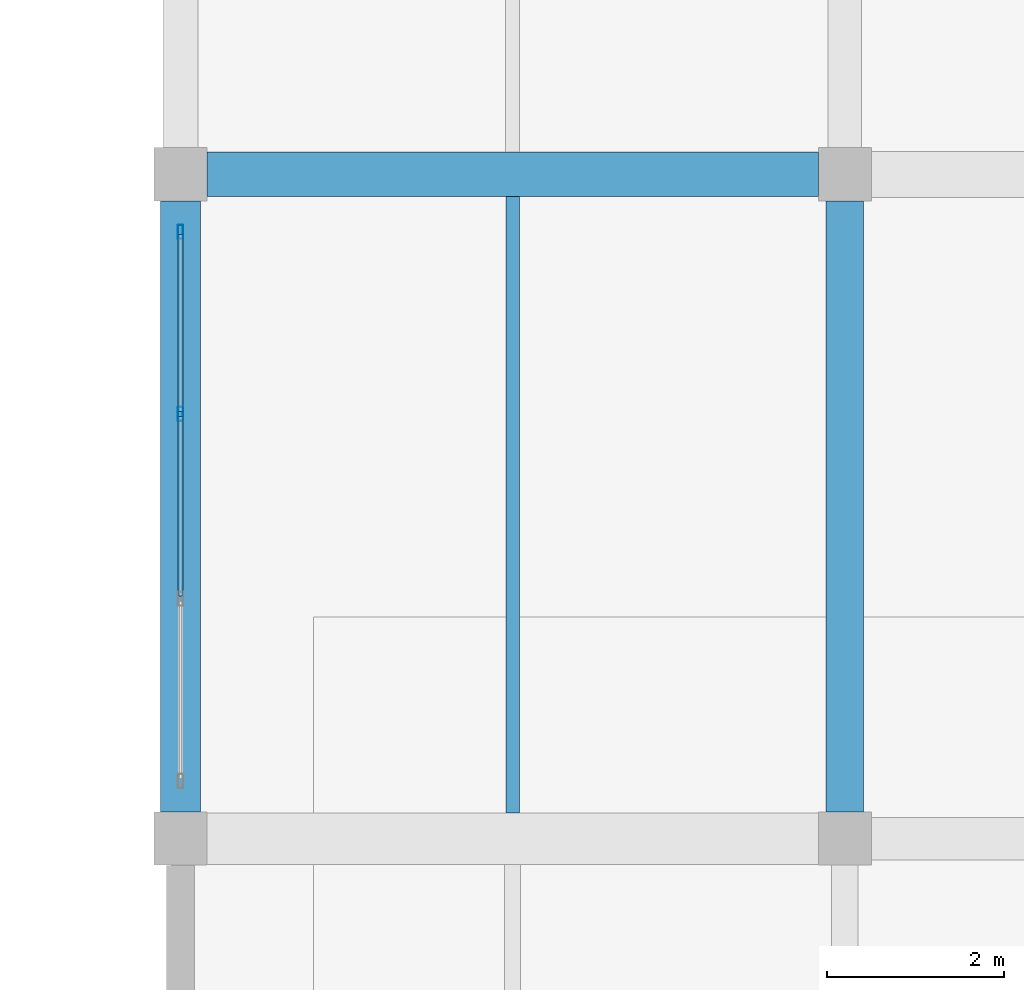
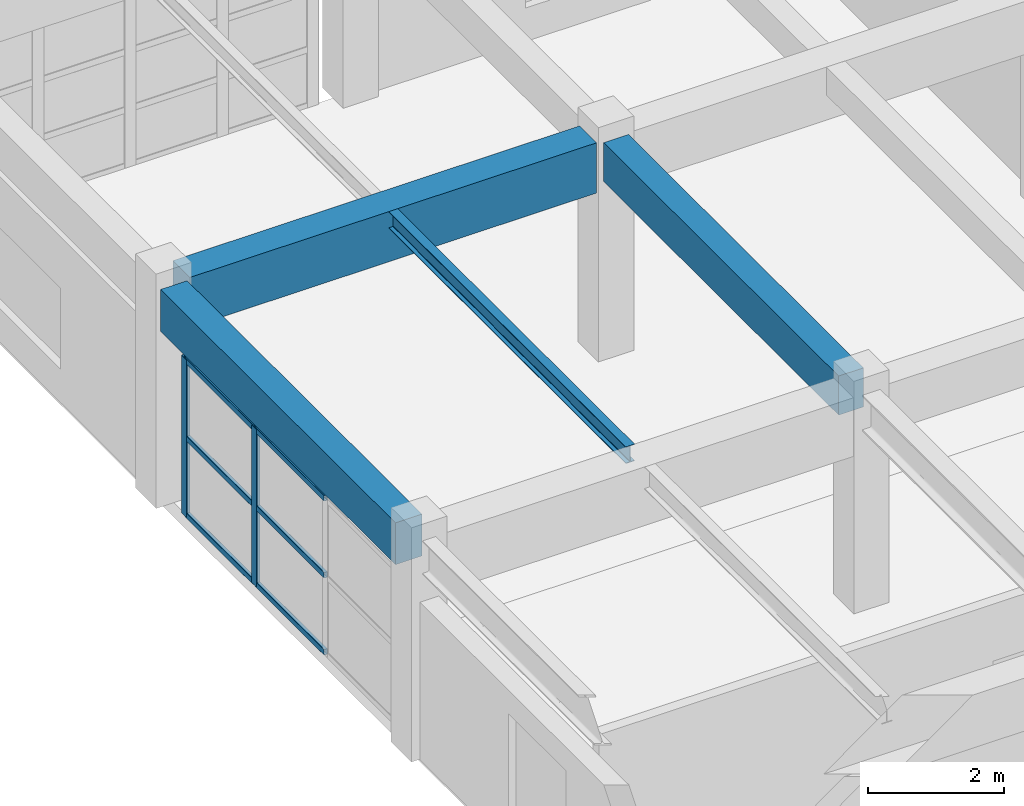
# One storey, part 57 of 124: 8 members, 4 beams, 1 element without a shape of its own.
"""IFC4 building model written with IfcOpenShell, lengths in metres."""

from ifc_helpers import new_model, si_unit, direction, frame, origin, origin_2d, place, context, subcontext, project, spatial, rectangle, hollow_rectangle, i_section, extrude, material, material_profile, profile_set, type_object, element, aggregate, save


model = new_model("IFC4")

# Units and contexts
model_context = context("Model", 3, precision=1e-05, world=origin(), true_north=direction((0.0, 1.0)))
body_context = subcontext(model_context, "Body", "Model", "MODEL_VIEW")
ifc_project = project(units=[si_unit("LENGTHUNIT", "METRE"), si_unit("AREAUNIT", "SQUARE_METRE"), si_unit("VOLUMEUNIT", "CUBIC_METRE"), si_unit("PLANEANGLEUNIT", "RADIAN"), si_unit("MASSUNIT", "GRAM", prefix="KILO")], contexts=[model_context])

# Site, building, storey
site_placement = place(None, origin())
site = spatial("IfcSite", under=ifc_project, at=site_placement, CompositionType="ELEMENT")
building_placement = place(site_placement, origin())
building = spatial("IfcBuilding", under=site, at=building_placement, Name="Qasida Concert Hall", CompositionType="ELEMENT")
storey_placement = place(building_placement, frame((0.0, 0.0, 9.0)))
storey = spatial("IfcBuildingStorey", under=building, at=storey_placement, Name="L02", CompositionType="ELEMENT", Elevation=9.0)

# Beams
ifc_material_1 = material(Name="Concrete C40/50", Category="concrete")
ifc_material_profile_1 = material_profile(ifc_material_1, rectangle(XDim=0.419921875, YDim=0.699951171875, at=origin_2d()), Name="RC 420x700")
ifc_profile_set_1 = profile_set([ifc_material_profile_1], Name="Concrete C40/50")
beam_type_1 = type_object("IfcBeamType", Name="BM-B11", PredefinedType="BEAM", material=ifc_profile_set_1)
beam_1_placement = place(storey_placement, frame((127.5, 97.800048828125, 3.550048828125), z_axis=(0.0, 1.0, 0.0), x_axis=(-1.0, 0.0, 0.0)))
element("IfcBeam", 1, at=beam_1_placement, inside=storey, type_object=beam_type_1, Name="L02 girder 1391", PredefinedType="BEAM", context=body_context, shape_type="SweptSolid", body=[
    extrude(rectangle(XDim=0.419921875, YDim=0.699951171875, at=origin_2d()), origin(), (0.0, 0.0, 1.0), 6.89990234375),
])
ifc_material_profile_2 = material_profile(ifc_material_1, rectangle(XDim=0.5, YDim=0.89990234375, at=origin_2d()), Name="RC 500x900")
ifc_profile_set_2 = profile_set([ifc_material_profile_2], Name="Concrete C40/50")
beam_type_2 = type_object("IfcBeamType", Name="BM-G1", PredefinedType="USERDEFINED", material=ifc_profile_set_2)
beam_2_placement = place(storey_placement, frame((120.300048828125, 105.0, 3.449951171875), z_axis=(1.0, 0.0, 0.0), x_axis=(0.0, 1.0, 0.0)))
element("IfcBeam", 2, at=beam_2_placement, inside=storey, type_object=beam_type_2, Name="Primary girder 1371", ObjectType="GIRDER", PredefinedType="USERDEFINED", context=body_context, shape_type="SweptSolid", body=[
    extrude(rectangle(XDim=0.5, YDim=0.89990234375, at=origin_2d()), origin(), (0.0, 0.0, 1.0), 6.89990234375),
])
ifc_material_2 = material(Name="Steel S355J2", Category="steel")
ifc_material_profile_3 = material_profile(ifc_material_2, i_section(OverallWidth=0.14990234375, OverallDepth=0.300048828125, WebThickness=0.007080078125, FlangeThickness=0.0107421875, FilletRadius=0.014892578125, at=origin_2d()), Name="IPE 300")
ifc_profile_set_3 = profile_set([ifc_material_profile_3], Name="Steel S355J2")
beam_type_3 = type_object("IfcBeamType", Name="BM-J4", PredefinedType="JOIST", material=ifc_profile_set_3)
beam_3_placement = place(storey_placement, frame((123.75, 97.7900390625, 3.75), z_axis=(0.0, 1.0, 0.0), x_axis=(-1.0, 0.0, 0.0)))
element("IfcBeam", 3, at=beam_3_placement, inside=storey, type_object=beam_type_3, Name="L02 secondary joist 1419", PredefinedType="JOIST", context=body_context, shape_type="SweptSolid", body=[
    extrude(i_section(OverallWidth=0.14990234375, OverallDepth=0.300048828125, WebThickness=0.007080078125, FlangeThickness=0.0107421875, FilletRadius=0.014892578125, at=origin_2d()), origin(), (0.0, 0.0, 1.0), 6.9599609375),
])
ifc_material_profile_4 = material_profile(ifc_material_1, rectangle(XDim=0.449951171875, YDim=0.75, at=origin_2d()), Name="RC 450x750")
ifc_profile_set_4 = profile_set([ifc_material_profile_4], Name="Concrete C40/50")
beam_type_4 = type_object("IfcBeamType", Name="BM-SP4", PredefinedType="SPANDREL", material=ifc_profile_set_4)
beam_4_placement = place(storey_placement, frame((120.0, 97.800048828125, 3.52490234375), z_axis=(0.0, 1.0, 0.0), x_axis=(-1.0, 0.0, 0.0)))
element("IfcBeam", 4, at=beam_4_placement, inside=storey, type_object=beam_type_4, Name="L02 girder 1386", PredefinedType="SPANDREL", context=body_context, shape_type="SweptSolid", body=[
    extrude(rectangle(XDim=0.449951171875, YDim=0.75, at=origin_2d()), origin(), (0.0, 0.0, 1.0), 6.89990234375),
])

# Curtain wall, members
ifc_material_3 = material(Name="Architectural bronze-anodized aluminium and low-E glass", Category="aluminium")
curtain_wall_type = type_object("IfcCurtainWallType", Name="CW-09", PredefinedType="NOTDEFINED", material=ifc_material_3)
curtain_wall_placement = place(storey_placement, origin())
curtain_wall = element("IfcCurtainWall", 5, at=curtain_wall_placement, inside=storey, type_object=curtain_wall_type, Name="L02 curtain wall CW-09 0176", PredefinedType="NOTDEFINED")
ifc_material_4 = material(Name="Architectural bronze-anodized aluminium EN AW-6063", Category="aluminium")
ifc_material_profile_5 = material_profile(ifc_material_4, hollow_rectangle(XDim=0.06005859375, YDim=0.159912109375, WallThickness=0.00390625, InnerFilletRadius=0.00390625, OuterFilletRadius=0.008056640625, at=origin_2d()), Name="CWM 160x60x4")
ifc_profile_set_5 = profile_set([ifc_material_profile_5], Name="Architectural bronze-anodized aluminium EN AW-6063")
member_type_1 = type_object("IfcMemberType", Name="MB-CWM-3", PredefinedType="MULLION", material=ifc_profile_set_5)
member_1_placement = place(storey_placement, frame((120.0, 102.293212890625, 0.0), z_axis=(0.0, 0.0, 1.0), x_axis=(-1.0, 0.0, 0.0)))
member_1 = element("IfcMember", 6, at=member_1_placement, type_object=member_type_1, Name="CW-09 mullion 3", PredefinedType="MULLION", context=body_context, shape_type="SweptSolid", body=[
    extrude(hollow_rectangle(XDim=0.06005859375, YDim=0.159912109375, WallThickness=0.00390625, InnerFilletRadius=0.00390625, OuterFilletRadius=0.008056640625, at=origin_2d()), origin(), (0.0, 0.0, 1.0), 2.820068359375),
])
member_2_placement = place(storey_placement, frame((120.0, 104.35009765625, 0.0), z_axis=(0.0, 0.0, 1.0), x_axis=(-1.0, 0.0, 0.0)))
member_2 = element("IfcMember", 7, at=member_2_placement, type_object=member_type_1, Name="CW-09 mullion 4", PredefinedType="MULLION", context=body_context, shape_type="SweptSolid", body=[
    extrude(hollow_rectangle(XDim=0.06005859375, YDim=0.159912109375, WallThickness=0.00390625, InnerFilletRadius=0.00390625, OuterFilletRadius=0.008056640625, at=origin_2d()), origin(), (0.0, 0.0, 1.0), 2.820068359375),
])
ifc_material_profile_6 = material_profile(ifc_material_4, hollow_rectangle(XDim=0.06005859375, YDim=0.10009765625, WallThickness=0.00341796875, InnerFilletRadius=0.00341796875, OuterFilletRadius=0.007080078125, at=origin_2d()), Name="CWT 100x60x3.5")
ifc_profile_set_6 = profile_set([ifc_material_profile_6], Name="Architectural bronze-anodized aluminium EN AW-6063")
member_type_2 = type_object("IfcMemberType", Name="MB-CWT-3", PredefinedType="USERDEFINED", material=ifc_profile_set_6)
member_3_placement = place(storey_placement, frame((120.0, 100.236572265625, 0.030029296875), z_axis=(0.0, 1.0, 0.0), x_axis=(-1.0, 0.0, 0.0)))
member_3 = element("IfcMember", 8, at=member_3_placement, type_object=member_type_2, Name="CW-09 transom 2.1", ObjectType="TRANSOM", PredefinedType="USERDEFINED", context=body_context, shape_type="SweptSolid", body=[
    extrude(hollow_rectangle(XDim=0.06005859375, YDim=0.10009765625, WallThickness=0.00341796875, InnerFilletRadius=0.00341796875, OuterFilletRadius=0.007080078125, at=origin_2d()), origin(), (0.0, 0.0, 1.0), 2.02685546875),
])
member_4_placement = place(storey_placement, frame((120.0, 100.236572265625, 1.409912109375), z_axis=(0.0, 1.0, 0.0), x_axis=(-1.0, 0.0, 0.0)))
member_4 = element("IfcMember", 9, at=member_4_placement, type_object=member_type_2, Name="CW-09 transom 2.2", ObjectType="TRANSOM", PredefinedType="USERDEFINED", context=body_context, shape_type="SweptSolid", body=[
    extrude(hollow_rectangle(XDim=0.06005859375, YDim=0.10009765625, WallThickness=0.00341796875, InnerFilletRadius=0.00341796875, OuterFilletRadius=0.007080078125, at=origin_2d()), origin(), (0.0, 0.0, 1.0), 2.02685546875),
])
member_5_placement = place(storey_placement, frame((120.0, 100.236572265625, 2.7900390625), z_axis=(0.0, 1.0, 0.0), x_axis=(-1.0, 0.0, 0.0)))
member_5 = element("IfcMember", 10, at=member_5_placement, type_object=member_type_2, Name="CW-09 transom 2.3", ObjectType="TRANSOM", PredefinedType="USERDEFINED", context=body_context, shape_type="SweptSolid", body=[
    extrude(hollow_rectangle(XDim=0.06005859375, YDim=0.10009765625, WallThickness=0.00341796875, InnerFilletRadius=0.00341796875, OuterFilletRadius=0.007080078125, at=origin_2d()), origin(), (0.0, 0.0, 1.0), 2.02685546875),
])
member_6_placement = place(storey_placement, frame((120.0, 102.3232421875, 0.030029296875), z_axis=(0.0, 1.0, 0.0), x_axis=(-1.0, 0.0, 0.0)))
member_6 = element("IfcMember", 11, at=member_6_placement, type_object=member_type_2, Name="CW-09 transom 3.1", ObjectType="TRANSOM", PredefinedType="USERDEFINED", context=body_context, shape_type="SweptSolid", body=[
    extrude(hollow_rectangle(XDim=0.06005859375, YDim=0.10009765625, WallThickness=0.00341796875, InnerFilletRadius=0.00341796875, OuterFilletRadius=0.007080078125, at=origin_2d()), origin(), (0.0, 0.0, 1.0), 1.996826171875),
])
member_7_placement = place(storey_placement, frame((120.0, 102.3232421875, 1.409912109375), z_axis=(0.0, 1.0, 0.0), x_axis=(-1.0, 0.0, 0.0)))
member_7 = element("IfcMember", 12, at=member_7_placement, type_object=member_type_2, Name="CW-09 transom 3.2", ObjectType="TRANSOM", PredefinedType="USERDEFINED", context=body_context, shape_type="SweptSolid", body=[
    extrude(hollow_rectangle(XDim=0.06005859375, YDim=0.10009765625, WallThickness=0.00341796875, InnerFilletRadius=0.00341796875, OuterFilletRadius=0.007080078125, at=origin_2d()), origin(), (0.0, 0.0, 1.0), 1.996826171875),
])
member_8_placement = place(storey_placement, frame((120.0, 102.3232421875, 2.7900390625), z_axis=(0.0, 1.0, 0.0), x_axis=(-1.0, 0.0, 0.0)))
member_8 = element("IfcMember", 13, at=member_8_placement, type_object=member_type_2, Name="CW-09 transom 3.3", ObjectType="TRANSOM", PredefinedType="USERDEFINED", context=body_context, shape_type="SweptSolid", body=[
    extrude(hollow_rectangle(XDim=0.06005859375, YDim=0.10009765625, WallThickness=0.00341796875, InnerFilletRadius=0.00341796875, OuterFilletRadius=0.007080078125, at=origin_2d()), origin(), (0.0, 0.0, 1.0), 1.996826171875),
])
aggregate(curtain_wall, [member_1, member_2, member_3, member_4, member_5, member_6, member_7, member_8])

save(model, "model.ifc")
